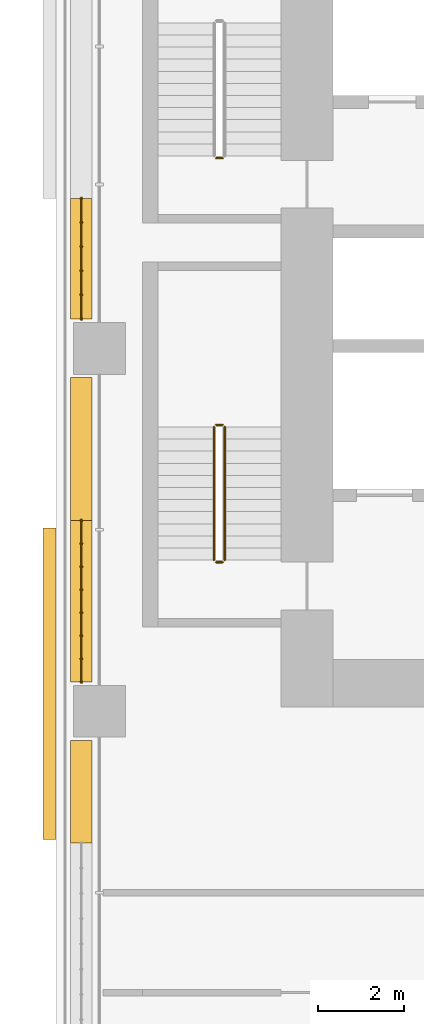
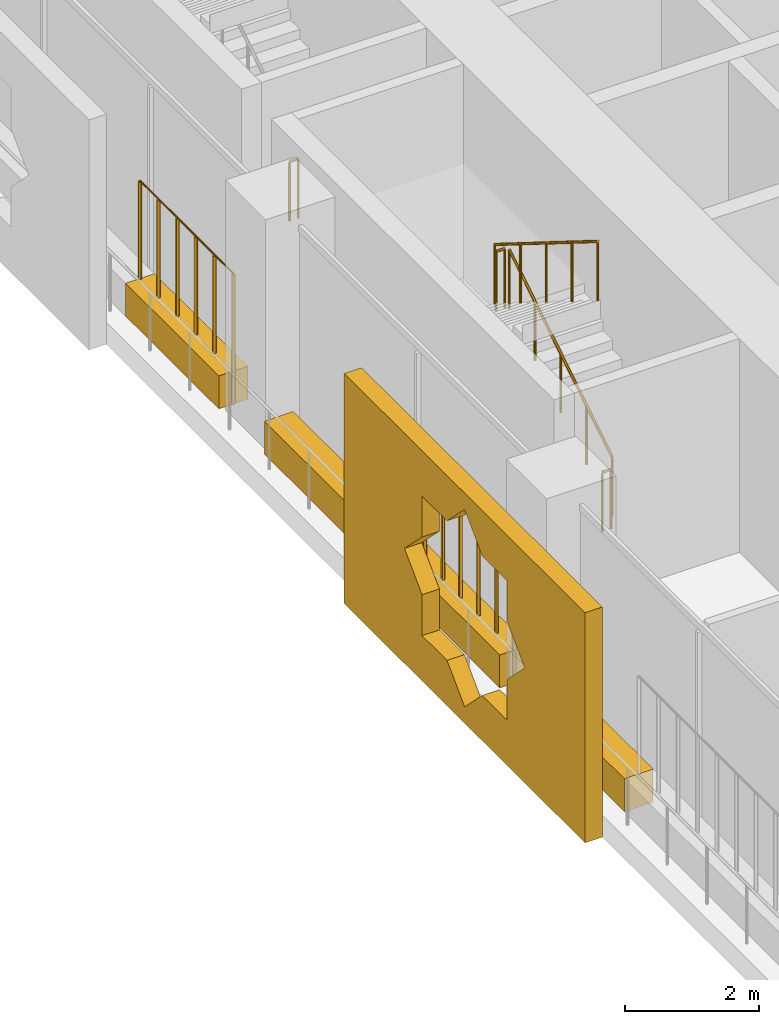
# One storey, part 22 of 27: 7 railings, 5 coverings.
"""IFC4 building model written with IfcOpenShell, lengths in metres."""

import ifcopenshell
import ifcopenshell.guid

model = None  # the IFC model being written
_history = None  # IfcOwnerHistory: only IFC2X3 demands one
_inside = {}  # id of a spatial element -> (the spatial element, [elements in it])
_under = {}  # id of a project, library or spatial element -> (it, [spatial elements below it])
_declared = {}  # id of a project -> (the project, [libraries it declares])
_typed = {}  # id of a type object -> (the type object, [elements of that type])
_made_of = {}  # id of a material, layer set ... -> (it, [elements and type objects made of it])


def new_model(schema):
    """Start an empty IFC model of exactly this schema.

    Asked for "IFC4X3", IfcOpenShell would pick the latest addendum, in which some entities
    have other attributes; the version numbers below select the first issue.
    IFC2X3 requires an IfcOwnerHistory on every rooted entity: one is made here for all.
    """
    global model, _history
    if schema == "IFC4X3":
        model = ifcopenshell.file(schema_version=(4, 3, 0, 0))
    else:
        model = ifcopenshell.file(schema=schema)
    _inside.clear()
    _under.clear()
    _declared.clear()
    _typed.clear()
    _made_of.clear()
    _history = None
    if model.schema == "IFC2X3":
        org = make("IfcOrganization", Name="unknown")
        user = make(
            "IfcPersonAndOrganization",
            ThePerson=make("IfcPerson", FamilyName="unknown"),
            TheOrganization=org,
        )
        app = make(
            "IfcApplication",
            ApplicationDeveloper=org,
            Version="unknown",
            ApplicationFullName="unknown",
            ApplicationIdentifier="unknown",
        )
        _history = make(
            "IfcOwnerHistory",
            OwningUser=user,
            OwningApplication=app,
            ChangeAction="ADDED",
            CreationDate=0,
        )
    return model


def make(cls, **values):
    """One entity of the class cls with the attributes given. An attribute that is None is left unset."""
    return model.create_entity(
        cls, **{name: value for name, value in values.items() if value is not None}
    )


def rooted(cls, **values):
    """An entity with a GlobalId (a new one), such as an element, a storey or a relation."""
    return make(cls, GlobalId=ifcopenshell.guid.new(), OwnerHistory=_history, **values)


def si_unit(unit_type, name, prefix=None):
    """IfcSIUnit, for example si_unit("LENGTHUNIT", "METRE", prefix="MILLI")."""
    return make("IfcSIUnit", UnitType=unit_type, Prefix=prefix, Name=name)


def assignment(units):
    """IfcUnitAssignment: the units of a project."""
    return None if units is None else make("IfcUnitAssignment", Units=units)


def point(xyz):
    """IfcCartesianPoint."""
    return None if xyz is None else make("IfcCartesianPoint", Coordinates=xyz)


def direction(xyz):
    """IfcDirection."""
    return None if xyz is None else make("IfcDirection", DirectionRatios=xyz)


def frame(location, z_axis=None, x_axis=None):
    """IfcAxis2Placement3D, a coordinate frame: its origin and axes. An axis left out is left unset."""
    return make(
        "IfcAxis2Placement3D",
        Location=point(location),
        Axis=direction(z_axis),
        RefDirection=direction(x_axis),
    )


def frame_2d(location, x_axis=None):
    """IfcAxis2Placement2D, a coordinate frame in the plane: its origin and x axis."""
    return make(
        "IfcAxis2Placement2D", Location=point(location), RefDirection=direction(x_axis)
    )


def origin():
    """The frame at (0, 0, 0) with its axes left unset."""
    return frame((0.0, 0.0, 0.0))


def origin_2d():
    """The frame at (0, 0) in the plane with its x axis left unset."""
    return frame_2d((0.0, 0.0))


def place(relative_to, where):
    """IfcLocalPlacement: puts the frame where relative to a parent placement (None: the world)."""
    return make(
        "IfcLocalPlacement", PlacementRelTo=relative_to, RelativePlacement=where
    )


def context(
    kind, dimensions, precision=None, world=None, true_north=None, identifier=None
):
    """IfcGeometricRepresentationContext, for example the 3D "Model" context."""
    return make(
        "IfcGeometricRepresentationContext",
        ContextIdentifier=identifier,
        ContextType=kind,
        CoordinateSpaceDimension=dimensions,
        Precision=precision,
        WorldCoordinateSystem=world,
        TrueNorth=true_north,
    )


def subcontext(parent, identifier, kind, view, scale=None):
    """IfcGeometricRepresentationSubContext, for example "Body" below "Model"."""
    return make(
        "IfcGeometricRepresentationSubContext",
        ContextIdentifier=identifier,
        ContextType=kind,
        ParentContext=parent,
        TargetScale=scale,
        TargetView=view,
    )


def project(units=None, contexts=None):
    """IfcProject with its units and contexts."""
    return rooted(
        "IfcProject",
        Name="project",
        RepresentationContexts=contexts,
        UnitsInContext=assignment(units),
    )


def spatial(cls, under=None, at=None, **own):
    """A site, building, storey or space (cls), placed at a placement, below another one or the project."""
    s = rooted(cls, ObjectPlacement=at, **own)
    if under is not None:
        _under.setdefault(under.id(), (under, []))[1].append(s)
    return s


def polyline(points):
    """IfcPolyline through the points."""
    return make("IfcPolyline", Points=[point(p) for p in points])


def profile(cls, at=None, kind="AREA", **sizes):
    """A parametric profile (cls). Its sizes go by their IFC names, for example OverallWidth=200.0."""
    return make(cls, ProfileType=kind, Position=at, **sizes)


def rectangle(**sizes):
    """IfcRectangleProfileDef."""
    return profile("IfcRectangleProfileDef", **sizes)


def circle(**sizes):
    """IfcCircleProfileDef."""
    return profile("IfcCircleProfileDef", **sizes)


def outline(outer, holes=None, kind="AREA"):
    """IfcArbitraryClosedProfileDef: a profile drawn as a closed curve; with holes, ...WithVoids."""
    if holes is None:
        return make("IfcArbitraryClosedProfileDef", ProfileType=kind, OuterCurve=outer)
    return make(
        "IfcArbitraryProfileDefWithVoids",
        ProfileType=kind,
        OuterCurve=outer,
        InnerCurves=holes,
    )


def extrude(swept, where, along, depth):
    """IfcExtrudedAreaSolid: the profile swept, set in the frame where, extruded along a direction by depth."""
    return make(
        "IfcExtrudedAreaSolid",
        SweptArea=swept,
        Position=where,
        ExtrudedDirection=direction(along),
        Depth=depth,
    )


def shape(context_of_items, identifier, shape_type, items):
    """IfcShapeRepresentation: the items that make up one representation, for example the "Body"."""
    return make(
        "IfcShapeRepresentation",
        ContextOfItems=context_of_items,
        RepresentationIdentifier=identifier,
        RepresentationType=shape_type,
        Items=items,
    )


def material(Name=None, Category=None):
    """IfcMaterial."""
    return make("IfcMaterial", Name=Name, Category=Category)


def material_profile(
    of_material, cross_section, Name=None, Category=None, Priority=None
):
    """IfcMaterialProfile: a cross section and its material."""
    return make(
        "IfcMaterialProfile",
        Name=Name,
        Material=of_material,
        Profile=cross_section,
        Priority=Priority,
        Category=Category,
    )


def profile_set(profiles, Name=None, composite=None):
    """IfcMaterialProfileSet."""
    return make(
        "IfcMaterialProfileSet",
        Name=Name,
        MaterialProfiles=profiles,
        CompositeProfile=composite,
    )


def made_of(thing, what):
    """Note that an element or type object is made of a material, layer set ...; save() writes the relation."""
    if what is not None:
        _made_of.setdefault(what.id(), (what, []))[1].append(thing)
    return thing


def type_object(cls, material=None, **own):
    """A type object (cls), such as IfcWallType, which elements share."""
    return made_of(rooted(cls, **own), material)


def element(
    cls,
    number,
    at=None,
    inside=None,
    cuts=None,
    type_object=None,
    material=None,
    context=None,
    identifier="Body",
    shape_type=None,
    held_by="IfcProductDefinitionShape",
    body=None,
    shapes=None,
    **own,
):
    """One element of the class cls, such as IfcWall. Its Tag is "e" and its number.

    at: its placement. inside: the storey or other place that contains it. cuts: it is an
    opening in that element (IfcRelVoidsElement). A single representation is given by context,
    identifier, shape_type and body (its items); several are given by shapes. held_by: the class
    of the entity that holds the representations. save() writes the other relations.
    """
    e = rooted(cls, Tag="e%d" % number, ObjectPlacement=at, **own)
    if body is not None:
        shapes = [shape(context, identifier, shape_type, body)]
    if shapes is not None:
        e.Representation = make(held_by, Representations=shapes)
    if inside is not None:
        _inside.setdefault(inside.id(), (inside, []))[1].append(e)
    if cuts is not None:
        rooted(
            "IfcRelVoidsElement", RelatingBuildingElement=cuts, RelatedOpeningElement=e
        )
    if type_object is not None:
        _typed.setdefault(type_object.id(), (type_object, []))[1].append(e)
    return made_of(e, material)


def aggregate(whole, parts):
    """IfcRelAggregates: a whole, such as a stair, and the parts it consists of."""
    return rooted("IfcRelAggregates", RelatingObject=whole, RelatedObjects=parts)


def save(model, path):
    """Write the relations noted so far, then the file.

    IfcRelAggregates (storeys below a building ...), IfcRelContainedInSpatialStructure (elements
    in a storey), IfcRelDefinesByType, IfcRelAssociatesMaterial and IfcRelDeclares: one each for
    every whole, place, type object, material and project.
    """
    for whole, parts in _under.values():
        aggregate(whole, parts)
    for where, things in _inside.values():
        rooted(
            "IfcRelContainedInSpatialStructure",
            RelatedElements=things,
            RelatingStructure=where,
        )
    for kind, things in _typed.values():
        rooted("IfcRelDefinesByType", RelatedObjects=things, RelatingType=kind)
    for what, things in _made_of.values():
        rooted("IfcRelAssociatesMaterial", RelatedObjects=things, RelatingMaterial=what)
    for by, libraries in _declared.values():
        rooted("IfcRelDeclares", RelatingContext=by, RelatedDefinitions=libraries)
    model.write(path)


model = new_model("IFC4")

# Units and contexts
model_context = context("Model", 3, precision=1e-05, world=origin(), true_north=direction((0.0, 1.0)))
body_context = subcontext(model_context, "Body", "Model", "MODEL_VIEW")
ifc_project = project(units=[si_unit("LENGTHUNIT", "METRE"), si_unit("AREAUNIT", "SQUARE_METRE"), si_unit("VOLUMEUNIT", "CUBIC_METRE"), si_unit("PLANEANGLEUNIT", "RADIAN"), si_unit("MASSUNIT", "GRAM", prefix="KILO")], contexts=[model_context])

# Site, building, storey
site_placement = place(None, origin())
site = spatial("IfcSite", under=ifc_project, at=site_placement, CompositionType="ELEMENT")
building_placement = place(site_placement, origin())
building = spatial("IfcBuilding", under=site, at=building_placement, Name="Kawkab Arch Medical Tower", CompositionType="ELEMENT")
storey_placement = place(building_placement, frame((0.0, 0.0, 85.39990234375)))
storey = spatial("IfcBuildingStorey", under=building, at=storey_placement, Name="L19", CompositionType="ELEMENT", Elevation=85.39990234375)

# Coverings
ifc_material_1 = material(Name="Bronze anodised aluminium mashrabiya panel, eight-point star pattern", Category="aluminium")
ifc_material_profile_1 = material_profile(ifc_material_1, outline(polyline([(-3.60009765625, -2.10009765625), (3.60009765625, -2.10009765625), (3.60009765625, 2.10009765625), (-3.60009765625, 2.10009765625), (-3.60009765625, -2.10009765625)]), holes=[polyline([(1.800048828125, 0.0), (1.272705078125, 0.527099609375), (1.272705078125, 1.272705078125), (0.527099609375, 1.272705078125), (0.0, 1.800048828125), (-0.527099609375, 1.272705078125), (-1.272705078125, 1.272705078125), (-1.272705078125, 0.527099609375), (-1.800048828125, 0.0), (-1.272705078125, -0.527099609375), (-1.272705078125, -1.272705078125), (-0.527099609375, -1.272705078125), (0.0, -1.800048828125), (0.527099609375, -1.272705078125), (1.272705078125, -1.272705078125), (1.272705078125, -0.527099609375), (1.800048828125, 0.0)])]), Name="Mashrabiya panel 7200x4200")
ifc_profile_set_1 = profile_set([ifc_material_profile_1], Name="Bronze anodised aluminium mashrabiya panel, eight-point star pattern")
covering_type_1 = type_object("IfcCoveringType", Name="Mashrabiya panel 7200 x 4200", PredefinedType="USERDEFINED", material=ifc_profile_set_1)
covering_1_placement = place(storey_placement, frame((-1.0, -24.561767578125, 1.7001953125), z_axis=(-1.0, 0.0, 0.0), x_axis=(0.0, -1.0, 0.0)))
element("IfcCovering", 1, at=covering_1_placement, inside=storey, type_object=covering_type_1, Name="Mashrabiya panel L19.LOG-01-01.4", ObjectType="SCREEN", PredefinedType="USERDEFINED", context=body_context, shape_type="SweptSolid", body=[
    extrude(outline(polyline([(-3.60009765625, -2.10009765625), (3.60009765625, -2.10009765625), (3.60009765625, 2.10009765625), (-3.60009765625, 2.10009765625), (-3.60009765625, -2.10009765625)]), holes=[polyline([(1.800048828125, 0.0), (1.272705078125, 0.527099609375), (1.272705078125, 1.272705078125), (0.527099609375, 1.272705078125), (0.0, 1.800048828125), (-0.527099609375, 1.272705078125), (-1.272705078125, 1.272705078125), (-1.272705078125, 0.527099609375), (-1.800048828125, 0.0), (-1.272705078125, -0.527099609375), (-1.272705078125, -1.272705078125), (-0.527099609375, -1.272705078125), (0.0, -1.800048828125), (0.527099609375, -1.272705078125), (1.272705078125, -1.272705078125), (1.272705078125, -0.527099609375), (1.800048828125, 0.0)])]), origin(), (0.0, 0.0, 1.0), 0.300048828125),
])
ifc_material_2 = material(Name="Planting soil in a precast trough", Category="concrete")
ifc_material_profile_2 = material_profile(ifc_material_2, rectangle(XDim=0.5, YDim=0.60009765625, at=origin_2d()), Name="Trough 500x600")
ifc_profile_set_2 = profile_set([ifc_material_profile_2], Name="Planting soil in a precast trough")
covering_type_2 = type_object("IfcCoveringType", Name="Planter trough 500 x 600", PredefinedType="USERDEFINED", material=ifc_profile_set_2)
covering_2_placement = place(storey_placement, frame((-0.419921875, -28.243896484375, 0.300048828125), z_axis=(0.0, 1.0, 0.0), x_axis=(-1.0, 0.0, 0.0)))
element("IfcCovering", 2, at=covering_2_placement, inside=storey, type_object=covering_type_2, Name="Planter L19.LOG-01-01.12", ObjectType="PLANTER", PredefinedType="USERDEFINED", context=body_context, shape_type="SweptSolid", body=[
    extrude(rectangle(XDim=0.5, YDim=0.60009765625, at=origin_2d()), origin(), (0.0, 0.0, 1.0), 2.364013671875),
])
covering_3_placement = place(storey_placement, frame((-0.419921875, -24.52001953125, 0.300048828125), z_axis=(0.0, 1.0, 0.0), x_axis=(-1.0, 0.0, 0.0)))
element("IfcCovering", 3, at=covering_3_placement, inside=storey, type_object=covering_type_2, Name="Planter L19.LOG-01-01.13", ObjectType="PLANTER", PredefinedType="USERDEFINED", context=body_context, shape_type="SweptSolid", body=[
    extrude(rectangle(XDim=0.5, YDim=0.60009765625, at=origin_2d()), origin(), (0.0, 0.0, 1.0), 3.73291015625),
])
covering_4_placement = place(storey_placement, frame((-0.419921875, -20.787109375, 0.300048828125), z_axis=(0.0, 1.0, 0.0), x_axis=(-1.0, 0.0, 0.0)))
element("IfcCovering", 4, at=covering_4_placement, inside=storey, type_object=covering_type_2, Name="Planter L19.LOG-01-01.14", ObjectType="PLANTER", PredefinedType="USERDEFINED", context=body_context, shape_type="SweptSolid", body=[
    extrude(rectangle(XDim=0.5, YDim=0.60009765625, at=origin_2d()), origin(), (0.0, 0.0, 1.0), 3.30712890625),
])
covering_5_placement = place(storey_placement, frame((-0.419921875, -16.1201171875, 0.300048828125), z_axis=(0.0, 1.0, 0.0), x_axis=(-1.0, 0.0, 0.0)))
element("IfcCovering", 5, at=covering_5_placement, inside=storey, type_object=covering_type_2, Name="Planter L19.LOG-01-01.15", ObjectType="PLANTER", PredefinedType="USERDEFINED", context=body_context, shape_type="SweptSolid", body=[
    extrude(rectangle(XDim=0.5, YDim=0.60009765625, at=origin_2d()), origin(), (0.0, 0.0, 1.0), 2.7890625),
])

# Railings
ifc_material_3 = material(Name="Bronze anodised aluminium trellis for climbing plants", Category="aluminium")
railing_type_1 = type_object("IfcRailingType", Name="Planting trellis 2400", PredefinedType="USERDEFINED", material=ifc_material_3)
railing_1_placement = place(storey_placement, frame((-0.419921875, -24.52001953125, 0.0)))
element("IfcRailing", 6, at=railing_1_placement, inside=storey, type_object=railing_type_1, Name="Planting trellis L19.LOG-01-01.13", ObjectType="TRELLIS", PredefinedType="USERDEFINED", context=body_context, shape_type="SweptSolid", body=[
    extrude(circle(Radius=0.01513671875, at=origin_2d()), frame((0.0, 0.0, 2.384765625), z_axis=(0.0, 1.0, 0.0), x_axis=(-1.0, 0.0, 0.0)), (0.0, 0.0, 1.0), 3.73291015625),
    extrude(circle(Radius=0.030029296875, at=origin_2d()), origin(), (0.0, 0.0, 1.0), 2.369873046875),
    extrude(circle(Radius=0.030029296875, at=origin_2d()), frame((0.0, 0.533203125, 0.0)), (0.0, 0.0, 1.0), 2.369873046875),
    extrude(circle(Radius=0.030029296875, at=origin_2d()), frame((0.0, 1.066650390625, 0.0)), (0.0, 0.0, 1.0), 2.369873046875),
    extrude(circle(Radius=0.030029296875, at=origin_2d()), frame((0.0, 1.599853515625, 0.0)), (0.0, 0.0, 1.0), 2.369873046875),
    extrude(circle(Radius=0.030029296875, at=origin_2d()), frame((0.0, 2.133056640625, 0.0)), (0.0, 0.0, 1.0), 2.369873046875),
    extrude(circle(Radius=0.030029296875, at=origin_2d()), frame((0.0, 2.666259765625, 0.0)), (0.0, 0.0, 1.0), 2.369873046875),
    extrude(circle(Radius=0.030029296875, at=origin_2d()), frame((0.0, 3.19970703125, 0.0)), (0.0, 0.0, 1.0), 2.369873046875),
    extrude(circle(Radius=0.030029296875, at=origin_2d()), frame((0.0, 3.73291015625, 0.0)), (0.0, 0.0, 1.0), 2.369873046875),
])
railing_2_placement = place(storey_placement, frame((-0.419921875, -16.1201171875, 0.0)))
element("IfcRailing", 7, at=railing_2_placement, inside=storey, type_object=railing_type_1, Name="Planting trellis L19.LOG-01-01.15", ObjectType="TRELLIS", PredefinedType="USERDEFINED", context=body_context, shape_type="SweptSolid", body=[
    extrude(circle(Radius=0.01513671875, at=origin_2d()), frame((0.0, 0.0, 2.384765625), z_axis=(0.0, 1.0, 0.0), x_axis=(-1.0, 0.0, 0.0)), (0.0, 0.0, 1.0), 2.7890625),
    extrude(circle(Radius=0.030029296875, at=origin_2d()), origin(), (0.0, 0.0, 1.0), 2.369873046875),
    extrude(circle(Radius=0.030029296875, at=origin_2d()), frame((0.0, 0.557861328125, 0.0)), (0.0, 0.0, 1.0), 2.369873046875),
    extrude(circle(Radius=0.030029296875, at=origin_2d()), frame((0.0, 1.11572265625, 0.0)), (0.0, 0.0, 1.0), 2.369873046875),
    extrude(circle(Radius=0.030029296875, at=origin_2d()), frame((0.0, 1.67333984375, 0.0)), (0.0, 0.0, 1.0), 2.369873046875),
    extrude(circle(Radius=0.030029296875, at=origin_2d()), frame((0.0, 2.231201171875, 0.0)), (0.0, 0.0, 1.0), 2.369873046875),
    extrude(circle(Radius=0.030029296875, at=origin_2d()), frame((0.0, 2.7890625, 0.0)), (0.0, 0.0, 1.0), 2.369873046875),
])
ifc_material_4 = material(Name="Stainless steel", Category="steel")
railing_type_2 = type_object("IfcRailingType", Name="Stair guard 1100", PredefinedType="GUARDRAIL", material=ifc_material_4)
railing_3_placement = place(storey_placement, frame((2.85009765625, -12.39990234375, 0.0)))
element("IfcRailing", 8, at=railing_3_placement, inside=storey, type_object=railing_type_2, Name="L19 ST1 stair guard 4", PredefinedType="GUARDRAIL", context=body_context, shape_type="SweptSolid", body=[
    extrude(circle(Radius=0.02392578125, at=origin_2d()), frame((0.0, 0.0, 1.076171875), z_axis=(-1.0, 0.0, 0.0), x_axis=(0.0, -1.0, 0.0)), (0.0, 0.0, 1.0), 0.150146484375),
    extrude(circle(Radius=0.02099609375, at=origin_2d()), origin(), (0.0, 0.0, 1.0), 1.052001953125),
    extrude(circle(Radius=0.02099609375, at=origin_2d()), frame((-0.150146484375, 0.0, 0.0)), (0.0, 0.0, 1.0), 1.052001953125),
])
railing_4_placement = place(storey_placement, frame((2.89990234375, -21.699951171875, 0.175048828125)))
element("IfcRailing", 9, at=railing_4_placement, inside=storey, type_object=railing_type_2, Name="L19 ST2 stair guard 1", PredefinedType="GUARDRAIL", context=body_context, shape_type="SweptSolid", body=[
    extrude(circle(Radius=0.02392578125, at=origin_2d()), frame((0.0, 0.0, 1.076171875), z_axis=(0.0, 0.847979421464, 0.530029150871), x_axis=(-1.0, 0.0, 0.0)), (0.0, 0.0, 1.0), 3.632080078125),
    extrude(circle(Radius=0.02099609375, at=origin_2d()), origin(), (0.0, 0.0, 1.0), 1.052001953125),
    extrude(circle(Radius=0.02099609375, at=origin_2d()), frame((0.0, 0.77001953125, 0.481201171875)), (0.0, 0.0, 1.0), 1.052001953125),
    extrude(circle(Radius=0.02099609375, at=origin_2d()), frame((0.0, 1.5400390625, 0.96240234375)), (0.0, 0.0, 1.0), 1.052001953125),
    extrude(circle(Radius=0.02099609375, at=origin_2d()), frame((0.0, 2.309814453125, 1.44384765625)), (0.0, 0.0, 1.0), 1.052001953125),
    extrude(circle(Radius=0.02099609375, at=origin_2d()), frame((0.0, 3.079833984375, 1.925048828125)), (0.0, 0.0, 1.0), 1.052001953125),
])
railing_5_placement = place(storey_placement, frame((2.85009765625, -18.570068359375, 2.10009765625)))
element("IfcRailing", 10, at=railing_5_placement, inside=storey, type_object=railing_type_2, Name="L19 ST2 stair guard 2", PredefinedType="GUARDRAIL", context=body_context, shape_type="SweptSolid", body=[
    extrude(circle(Radius=0.02392578125, at=origin_2d()), frame((0.0, 0.0, 1.076171875), z_axis=(-1.0, 0.0, 0.0), x_axis=(0.0, -1.0, 0.0)), (0.0, 0.0, 1.0), 0.150146484375),
    extrude(circle(Radius=0.02099609375, at=origin_2d()), origin(), (0.0, 0.0, 1.0), 1.052001953125),
    extrude(circle(Radius=0.02099609375, at=origin_2d()), frame((-0.150146484375, 0.0, 0.0)), (0.0, 0.0, 1.0), 1.052001953125),
])
railing_6_placement = place(storey_placement, frame((2.64990234375, -18.6201171875, 2.275146484375)))
element("IfcRailing", 11, at=railing_6_placement, inside=storey, type_object=railing_type_2, Name="L19 ST2 stair guard 3", PredefinedType="GUARDRAIL", context=body_context, shape_type="SweptSolid", body=[
    extrude(circle(Radius=0.02392578125, at=origin_2d()), frame((0.0, 0.0, 1.076171875), z_axis=(0.0, -0.847979421464, 0.530029150871), x_axis=(1.0, 0.0, 0.0)), (0.0, 0.0, 1.0), 3.632080078125),
    extrude(circle(Radius=0.02099609375, at=origin_2d()), origin(), (0.0, 0.0, 1.0), 1.052001953125),
    extrude(circle(Radius=0.02099609375, at=origin_2d()), frame((0.0, -0.77001953125, 0.481201171875)), (0.0, 0.0, 1.0), 1.052001953125),
    extrude(circle(Radius=0.02099609375, at=origin_2d()), frame((0.0, -1.5400390625, 0.96240234375)), (0.0, 0.0, 1.0), 1.052001953125),
    extrude(circle(Radius=0.02099609375, at=origin_2d()), frame((0.0, -2.309814453125, 1.44384765625)), (0.0, 0.0, 1.0), 1.052001953125),
    extrude(circle(Radius=0.02099609375, at=origin_2d()), frame((0.0, -3.079833984375, 1.925048828125)), (0.0, 0.0, 1.0), 1.052001953125),
])
railing_7_placement = place(storey_placement, frame((2.85009765625, -21.75, 0.0)))
element("IfcRailing", 12, at=railing_7_placement, inside=storey, type_object=railing_type_2, Name="L19 ST2 stair guard 4", PredefinedType="GUARDRAIL", context=body_context, shape_type="SweptSolid", body=[
    extrude(circle(Radius=0.02392578125, at=origin_2d()), frame((0.0, 0.0, 1.076171875), z_axis=(-1.0, 0.0, 0.0), x_axis=(0.0, -1.0, 0.0)), (0.0, 0.0, 1.0), 0.150146484375),
    extrude(circle(Radius=0.02099609375, at=origin_2d()), origin(), (0.0, 0.0, 1.0), 1.052001953125),
    extrude(circle(Radius=0.02099609375, at=origin_2d()), frame((-0.150146484375, 0.0, 0.0)), (0.0, 0.0, 1.0), 1.052001953125),
])

save(model, "model.ifc")
